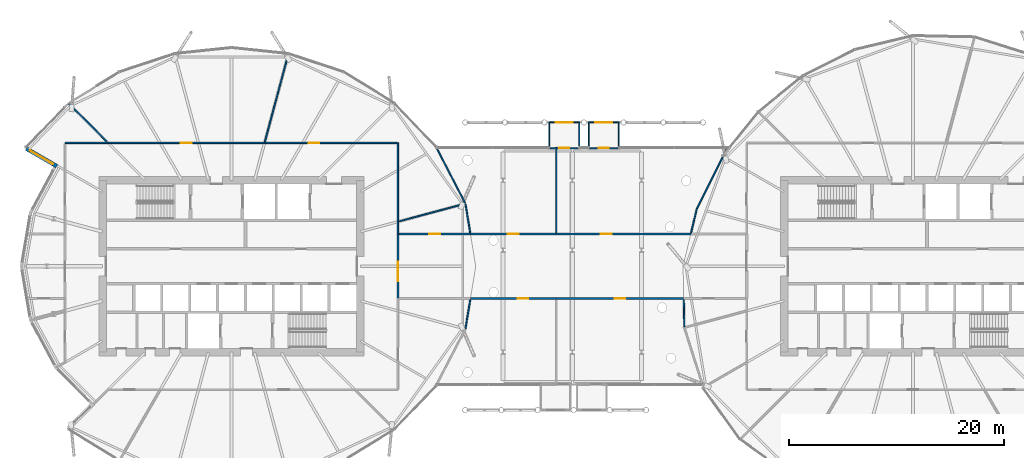
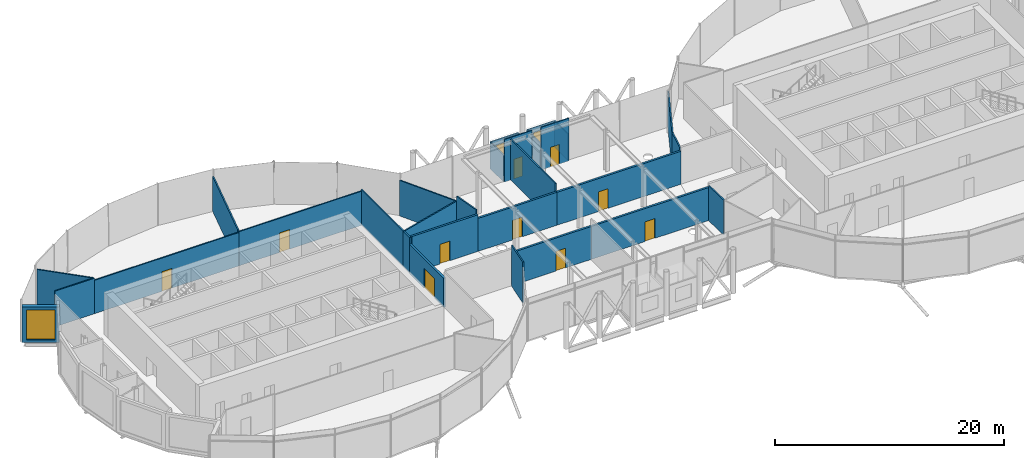
# One storey, part 24 of 36: 30 walls, 10 doors, 3 windows, 13 openings.
"""IFC4 building model written with IfcOpenShell, lengths in metres."""

from ifc_helpers import new_model, si_unit, direction, frame, frame_2d, origin, place, context, subcontext, project, spatial, rectangle, extrude, material, layer, layer_set, type_object, element, fill, save


model = new_model("IFC4")

# Units and contexts
model_context = context("Model", 3, precision=1e-05, world=origin(), true_north=direction((0.0, 1.0)))
body_context = subcontext(model_context, "Body", "Model", "MODEL_VIEW")
ifc_project = project(units=[si_unit("LENGTHUNIT", "METRE"), si_unit("AREAUNIT", "SQUARE_METRE"), si_unit("VOLUMEUNIT", "CUBIC_METRE"), si_unit("PLANEANGLEUNIT", "RADIAN"), si_unit("MASSUNIT", "GRAM", prefix="KILO")], contexts=[model_context])

# Site, building, storey
site_placement = place(None, origin())
site = spatial("IfcSite", under=ifc_project, at=site_placement, CompositionType="ELEMENT")
building_placement = place(site_placement, origin())
building = spatial("IfcBuilding", under=site, at=building_placement, Name="Rimbun Link Towers", CompositionType="ELEMENT")
storey_placement = place(building_placement, frame((0.0, 0.0, 154.39990234375)))
storey = spatial("IfcBuildingStorey", under=building, at=storey_placement, Name="L37", CompositionType="ELEMENT", Elevation=154.39990234375)

# Wall
ifc_material_1 = material(Name="Terracotta-faced insulated sandwich panel", Category="masonry")
ifc_layer_1 = layer(ifc_material_1, 0.10009765625)
ifc_layer_set_1 = layer_set([ifc_layer_1], Name="CAPSULE shell panel 100")
wall_type_1 = type_object("IfcWallType", Name="CAPSULE shell panel 100", PredefinedType="STANDARD", material=ifc_layer_set_1)
wall_1_placement = place(storey_placement, frame((0.646728515625, 11.0, -0.059814453125), z_axis=(0.0, 0.0, 1.0), x_axis=(0.0, 1.0, 0.0)))
element("IfcWall", 1, at=wall_1_placement, inside=storey, type_object=wall_type_1, Name="CAPSULE F37.01 shell panel 1", PredefinedType="STANDARD", context=body_context, shape_type="SweptSolid", body=[
    extrude(rectangle(XDim=2.39990234375, YDim=0.10009765625, at=frame_2d((1.199951171875, 0.0))), origin(), (0.0, 0.0, 1.0), 2.849853515625),
])

# Wall, opening, window
wall_2_placement = place(storey_placement, frame((0.646728515625, 13.39990234375, -0.059814453125), z_axis=(0.0, 0.0, 1.0), x_axis=(-1.0, 0.0, 0.0)))
wall_2 = element("IfcWall", 2, at=wall_2_placement, inside=storey, type_object=wall_type_1, Name="CAPSULE F37.01 shell panel 2", PredefinedType="STANDARD", context=body_context, shape_type="SweptSolid", body=[
    extrude(rectangle(XDim=2.800048828125, YDim=0.10009765625, at=frame_2d((1.39990234375, 0.0))), origin(), (0.0, 0.0, 1.0), 2.849853515625),
])
opening_1_placement = place(wall_2_placement, frame((0.60009765625, 0.0, 0.89990234375)))
opening_1 = element("IfcOpeningElement", 3, at=opening_1_placement, cuts=wall_2, Name="Opening CN37.01", PredefinedType="OPENING", context=body_context, shape_type="SweptSolid", body=[
    extrude(rectangle(XDim=1.60009765625, YDim=1.39990234375, at=frame_2d((0.800048828125, 0.699951171875))), frame((0.0, 0.06005859375, 0.0), z_axis=(0.0, -1.0, 0.0), x_axis=(1.0, 0.0, 0.0)), (0.0, 0.0, 1.0), 0.1201171875),
])
ifc_material_2 = material(Name="Aluminium framed window, low-iron glass", Category="aluminium")
window_type_1 = type_object("IfcWindowType", Name="CAPSULE window 1600X1400", PartitioningType="SINGLE_PANEL", PredefinedType="WINDOW", material=ifc_material_2)
window_1_placement = place(opening_1_placement, origin())
window_1 = element("IfcWindow", 4, at=window_1_placement, inside=storey, type_object=window_type_1, Name="CAPSULE F37.01 window", OverallHeight=1.39990234375, OverallWidth=1.60009765625, PartitioningType="SINGLE_PANEL", PredefinedType="WINDOW", context=body_context, shape_type="SweptSolid", body=[
    extrude(rectangle(XDim=1.60009765625, YDim=1.39990234375, at=frame_2d((0.800048828125, 0.699951171875))), frame((0.0, 0.030029296875, 0.0), z_axis=(0.0, -1.0, 0.0), x_axis=(1.0, 0.0, 0.0)), (0.0, 0.0, 1.0), 0.06005859375),
])
fill(opening_1, window_1)

# Wall
wall_3_placement = place(storey_placement, frame((-2.1533203125, 13.39990234375, -0.059814453125), z_axis=(0.0, 0.0, 1.0), x_axis=(0.0, -1.0, 0.0)))
element("IfcWall", 5, at=wall_3_placement, inside=storey, type_object=wall_type_1, Name="CAPSULE F37.01 shell panel 3", PredefinedType="STANDARD", context=body_context, shape_type="SweptSolid", body=[
    extrude(rectangle(XDim=2.39990234375, YDim=0.10009765625, at=frame_2d((1.199951171875, 0.0))), origin(), (0.0, 0.0, 1.0), 2.849853515625),
])

# Wall, opening, door
wall_4_placement = place(storey_placement, frame((-2.1533203125, 11.0, -0.059814453125), z_axis=(0.0, 0.0, 1.0), x_axis=(1.0, 0.0, 0.0)))
wall_4 = element("IfcWall", 6, at=wall_4_placement, inside=storey, type_object=wall_type_1, Name="CAPSULE F37.01 shell panel 4", PredefinedType="STANDARD", context=body_context, shape_type="SweptSolid", body=[
    extrude(rectangle(XDim=2.800048828125, YDim=0.10009765625, at=frame_2d((1.39990234375, 0.0))), origin(), (0.0, 0.0, 1.0), 4.559814453125),
])
opening_2_placement = place(wall_4_placement, frame((0.949951171875, 0.0, 0.0)))
opening_2 = element("IfcOpeningElement", 7, at=opening_2_placement, cuts=wall_4, Name="Opening CD37.01", PredefinedType="OPENING", context=body_context, shape_type="SweptSolid", body=[
    extrude(rectangle(XDim=0.89990234375, YDim=2.10009765625, at=frame_2d((0.449951171875, 1.050048828125))), frame((0.0, 0.06005859375, 0.0), z_axis=(0.0, -1.0, 0.0), x_axis=(1.0, 0.0, 0.0)), (0.0, 0.0, 1.0), 0.1201171875),
])
ifc_material_3 = material(Name="Aluminium framed insulated door leaf", Category="aluminium")
door_type_1 = type_object("IfcDoorType", Name="CAPSULE door single leaf 900X2100", OperationType="SINGLE_SWING_LEFT", PredefinedType="DOOR", material=ifc_material_3)
door_1_placement = place(opening_2_placement, origin())
door_1 = element("IfcDoor", 8, at=door_1_placement, inside=storey, type_object=door_type_1, Name="CAPSULE F37.01 door", OperationType="SINGLE_SWING_RIGHT", OverallHeight=2.10009765625, OverallWidth=0.89990234375, PredefinedType="DOOR", context=body_context, shape_type="SweptSolid", body=[
    extrude(rectangle(XDim=0.89990234375, YDim=2.10009765625, at=frame_2d((0.449951171875, 1.050048828125))), frame((0.0, 0.02490234375, 0.0), z_axis=(0.0, -1.0, 0.0), x_axis=(1.0, 0.0, 0.0)), (0.0, 0.0, 1.0), 0.050048828125),
])
fill(opening_2, door_1)

# Wall
wall_5_placement = place(storey_placement, frame((4.336669921875, 11.0, -0.059814453125), z_axis=(0.0, 0.0, 1.0), x_axis=(0.0, 1.0, 0.0)))
element("IfcWall", 9, at=wall_5_placement, inside=storey, type_object=wall_type_1, Name="CAPSULE F37.02 shell panel 1", PredefinedType="STANDARD", context=body_context, shape_type="SweptSolid", body=[
    extrude(rectangle(XDim=2.39990234375, YDim=0.10009765625, at=frame_2d((1.199951171875, 0.0))), origin(), (0.0, 0.0, 1.0), 2.849853515625),
])

# Wall, opening, window
wall_6_placement = place(storey_placement, frame((4.336669921875, 13.39990234375, -0.059814453125), z_axis=(0.0, 0.0, 1.0), x_axis=(-1.0, 0.0, 0.0)))
wall_6 = element("IfcWall", 10, at=wall_6_placement, inside=storey, type_object=wall_type_1, Name="CAPSULE F37.02 shell panel 2", PredefinedType="STANDARD", context=body_context, shape_type="SweptSolid", body=[
    extrude(rectangle(XDim=2.7998046875, YDim=0.10009765625, at=frame_2d((1.39990234375, 0.0))), origin(), (0.0, 0.0, 1.0), 2.849853515625),
])
opening_3_placement = place(wall_6_placement, frame((0.60009765625, 0.0, 0.89990234375)))
opening_3 = element("IfcOpeningElement", 11, at=opening_3_placement, cuts=wall_6, Name="Opening CN37.02", PredefinedType="OPENING", context=body_context, shape_type="SweptSolid", body=[
    extrude(rectangle(XDim=1.60009765625, YDim=1.39990234375, at=frame_2d((0.800048828125, 0.699951171875))), frame((0.0, 0.06005859375, 0.0), z_axis=(0.0, -1.0, 0.0), x_axis=(1.0, 0.0, 0.0)), (0.0, 0.0, 1.0), 0.1201171875),
])
window_2_placement = place(opening_3_placement, origin())
window_2 = element("IfcWindow", 12, at=window_2_placement, inside=storey, type_object=window_type_1, Name="CAPSULE F37.02 window", OverallHeight=1.39990234375, OverallWidth=1.60009765625, PartitioningType="SINGLE_PANEL", PredefinedType="WINDOW", context=body_context, shape_type="SweptSolid", body=[
    extrude(rectangle(XDim=1.60009765625, YDim=1.39990234375, at=frame_2d((0.800048828125, 0.699951171875))), frame((0.0, 0.030029296875, 0.0), z_axis=(0.0, -1.0, 0.0), x_axis=(1.0, 0.0, 0.0)), (0.0, 0.0, 1.0), 0.06005859375),
])
fill(opening_3, window_2)

# Wall
wall_7_placement = place(storey_placement, frame((1.536865234375, 13.39990234375, -0.059814453125), z_axis=(0.0, 0.0, 1.0), x_axis=(0.0, -1.0, 0.0)))
element("IfcWall", 13, at=wall_7_placement, inside=storey, type_object=wall_type_1, Name="CAPSULE F37.02 shell panel 3", PredefinedType="STANDARD", context=body_context, shape_type="SweptSolid", body=[
    extrude(rectangle(XDim=2.39990234375, YDim=0.10009765625, at=frame_2d((1.199951171875, 0.0))), origin(), (0.0, 0.0, 1.0), 2.849853515625),
])

# Wall, opening, door
wall_8_placement = place(storey_placement, frame((1.536865234375, 11.0, -0.059814453125), z_axis=(0.0, 0.0, 1.0), x_axis=(1.0, 0.0, 0.0)))
wall_8 = element("IfcWall", 14, at=wall_8_placement, inside=storey, type_object=wall_type_1, Name="CAPSULE F37.02 shell panel 4", PredefinedType="STANDARD", context=body_context, shape_type="SweptSolid", body=[
    extrude(rectangle(XDim=2.7998046875, YDim=0.10009765625, at=frame_2d((1.39990234375, 0.0))), origin(), (0.0, 0.0, 1.0), 4.559814453125),
])
opening_4_placement = place(wall_8_placement, frame((0.949951171875, 0.0, 0.0)))
opening_4 = element("IfcOpeningElement", 15, at=opening_4_placement, cuts=wall_8, Name="Opening CD37.02", PredefinedType="OPENING", context=body_context, shape_type="SweptSolid", body=[
    extrude(rectangle(XDim=0.89990234375, YDim=2.10009765625, at=frame_2d((0.449951171875, 1.050048828125))), frame((0.0, 0.06005859375, 0.0), z_axis=(0.0, -1.0, 0.0), x_axis=(1.0, 0.0, 0.0)), (0.0, 0.0, 1.0), 0.1201171875),
])
door_2_placement = place(opening_4_placement, origin())
door_2 = element("IfcDoor", 16, at=door_2_placement, inside=storey, type_object=door_type_1, Name="CAPSULE F37.02 door", OperationType="SINGLE_SWING_LEFT", OverallHeight=2.10009765625, OverallWidth=0.89990234375, PredefinedType="DOOR", context=body_context, shape_type="SweptSolid", body=[
    extrude(rectangle(XDim=0.89990234375, YDim=2.10009765625, at=frame_2d((0.449951171875, 1.050048828125))), frame((0.0, 0.02490234375, 0.0), z_axis=(0.0, -1.0, 0.0), x_axis=(1.0, 0.0, 0.0)), (0.0, 0.0, 1.0), 0.050048828125),
])
fill(opening_4, door_2)

# Wall, opening, window
ifc_material_4 = material(Name="Dark enamelled glass spandrel on insulated aluminium backpan", Category="aluminium")
ifc_layer_2 = layer(ifc_material_4, 0.3701171875)
ifc_layer_set_2 = layer_set([ifc_layer_2], Name="CS dark enamelled spandrel wall 370")
wall_type_2 = type_object("IfcWallType", Name="CS dark enamelled spandrel wall 370", PredefinedType="STANDARD", material=ifc_layer_set_2)
wall_9_placement = place(storey_placement, frame((-48.031494140625, 9.324951171875, 0.0), z_axis=(0.0, 0.0, 1.0), x_axis=(-0.866008333849, 0.50002956483, 0.0)))
wall_9 = element("IfcWall", 17, at=wall_9_placement, inside=storey, type_object=wall_type_2, Name="Crease spandrel wall", PredefinedType="STANDARD", context=body_context, shape_type="SweptSolid", body=[
    extrude(rectangle(XDim=3.280029296875, YDim=0.3701171875, at=frame_2d((1.64013671875, 0.0))), origin(), (0.0, 0.0, 1.0), 3.80712890625),
])
opening_5_placement = place(wall_9_placement, frame((0.389892578125, 0.0, 0.300048828125)))
opening_5 = element("IfcOpeningElement", 18, at=opening_5_placement, cuts=wall_9, Name="Opening WR25H320", PredefinedType="OPENING", context=body_context, shape_type="SweptSolid", body=[
    extrude(rectangle(XDim=2.5, YDim=3.199951171875, at=frame_2d((1.25, 1.60009765625))), frame((0.0, 0.195068359375, 0.0), z_axis=(0.0, -1.0, 0.0), x_axis=(1.0, 0.0, 0.0)), (0.0, 0.0, 1.0), 0.39013671875),
])
ifc_material_5 = material(Name="Aluminium framed fixed window, dark tinted low-e glass", Category="aluminium")
window_type_2 = type_object("IfcWindowType", Name="WR ribbon window 2500X3200", PartitioningType="SINGLE_PANEL", PredefinedType="WINDOW", material=ifc_material_5)
window_3_placement = place(opening_5_placement, origin())
window_3 = element("IfcWindow", 19, at=window_3_placement, inside=storey, type_object=window_type_2, Name="Crease ribbon window", OverallHeight=3.199951171875, OverallWidth=2.5, PartitioningType="SINGLE_PANEL", PredefinedType="WINDOW", context=body_context, shape_type="SweptSolid", body=[
    extrude(rectangle(XDim=2.5, YDim=3.199951171875, at=frame_2d((1.25, 1.60009765625))), frame((0.0, 0.030029296875, 0.0), z_axis=(0.0, -1.0, 0.0), x_axis=(1.0, 0.0, 0.0)), (0.0, 0.0, 1.0), 0.06005859375),
])
fill(opening_5, window_3)

# Wall, opening, door
ifc_material_6 = material(Name="Concrete blockwork", Category="masonry")
ifc_layer_3 = layer(ifc_material_6, 0.199951171875)
ifc_layer_set_3 = layer_set([ifc_layer_3], Name="Fire partition 200 blockwork")
wall_type_3 = type_object("IfcWallType", Name="Fire partition 200 blockwork", PredefinedType="PARTITIONING", material=ifc_layer_set_3)
wall_10_placement = place(storey_placement, frame((-1.5, 3.0, 0.0), z_axis=(0.0, 0.0, 1.0), x_axis=(-1.0, 0.0, 0.0)))
wall_10 = element("IfcWall", 20, at=wall_10_placement, inside=storey, type_object=wall_type_3, Name="TW/PW/L37/001", PredefinedType="PARTITIONING", context=body_context, shape_type="SweptSolid", body=[
    extrude(rectangle(XDim=7.98974609375, YDim=0.199951171875, at=frame_2d((3.994873046875, 0.0))), origin(), (0.0, 0.0, 1.0), 3.52001953125),
])
opening_6_placement = place(wall_10_placement, frame((3.4951171875, 0.0, 0.0)))
opening_6 = element("IfcOpeningElement", 21, at=opening_6_placement, cuts=wall_10, Name="Opening TW D37.19", PredefinedType="OPENING", context=body_context, shape_type="SweptSolid", body=[
    extrude(rectangle(XDim=1.0, YDim=2.10009765625, at=frame_2d((0.5, 1.050048828125))), frame((0.0, 0.10986328125, 0.0), z_axis=(0.0, -1.0, 0.0), x_axis=(1.0, 0.0, 0.0)), (0.0, 0.0, 1.0), 0.219970703125),
])
ifc_material_7 = material(Name="Steel fire door set", Category="steel")
door_type_2 = type_object("IfcDoorType", Name="Fire door single leaf 1000 x 2100", OperationType="NOTDEFINED", PredefinedType="DOOR", material=ifc_material_7)
door_3_placement = place(opening_6_placement, origin())
door_3 = element("IfcDoor", 22, at=door_3_placement, inside=storey, type_object=door_type_2, Name="TW/DR/L37/019", OperationType="SINGLE_SWING_RIGHT", OverallHeight=2.10009765625, OverallWidth=1.0, PredefinedType="DOOR", context=body_context, shape_type="SweptSolid", body=[
    extrude(rectangle(XDim=1.0, YDim=2.10009765625, at=frame_2d((0.5, 1.050048828125))), frame((0.0, 0.02490234375, 0.0), z_axis=(0.0, -1.0, 0.0), x_axis=(1.0, 0.0, 0.0)), (0.0, 0.0, 1.0), 0.050048828125),
])
fill(opening_6, door_3)

wall_11_placement = place(storey_placement, frame((11.0361328125, 3.0, 0.0), z_axis=(0.0, 0.0, 1.0), x_axis=(-1.0, 0.0, 0.0)))
wall_11 = element("IfcWall", 23, at=wall_11_placement, inside=storey, type_object=wall_type_3, Name="TW/PW/L37/002", PredefinedType="PARTITIONING", context=body_context, shape_type="SweptSolid", body=[
    extrude(rectangle(XDim=12.5361328125, YDim=0.199951171875, at=frame_2d((6.26806640625, 0.0))), origin(), (0.0, 0.0, 1.0), 3.52001953125),
])
opening_7_placement = place(wall_11_placement, frame((7.364013671875, 0.0, 0.0)))
opening_7 = element("IfcOpeningElement", 24, at=opening_7_placement, cuts=wall_11, Name="Opening TW D37.20", PredefinedType="OPENING", context=body_context, shape_type="SweptSolid", body=[
    extrude(rectangle(XDim=1.0, YDim=2.10009765625, at=frame_2d((0.5, 1.050048828125))), frame((0.0, 0.10986328125, 0.0), z_axis=(0.0, -1.0, 0.0), x_axis=(1.0, 0.0, 0.0)), (0.0, 0.0, 1.0), 0.219970703125),
])
door_4_placement = place(opening_7_placement, origin())
door_4 = element("IfcDoor", 25, at=door_4_placement, inside=storey, type_object=door_type_2, Name="TW/DR/L37/020", OperationType="SINGLE_SWING_LEFT", OverallHeight=2.10009765625, OverallWidth=1.0, PredefinedType="DOOR", context=body_context, shape_type="SweptSolid", body=[
    extrude(rectangle(XDim=1.0, YDim=2.10009765625, at=frame_2d((0.5, 1.050048828125))), frame((0.0, 0.02490234375, 0.0), z_axis=(0.0, -1.0, 0.0), x_axis=(1.0, 0.0, 0.0)), (0.0, 0.0, 1.0), 0.050048828125),
])
fill(opening_7, door_4)

wall_12_placement = place(storey_placement, frame((-9.48974609375, -3.0, 0.0), z_axis=(0.0, 0.0, 1.0), x_axis=(1.0, 0.0, 0.0)))
wall_12 = element("IfcWall", 26, at=wall_12_placement, inside=storey, type_object=wall_type_3, Name="TW/PW/L37/003", PredefinedType="PARTITIONING", context=body_context, shape_type="SweptSolid", body=[
    extrude(rectangle(XDim=7.98974609375, YDim=0.199951171875, at=frame_2d((3.994873046875, 0.0))), origin(), (0.0, 0.0, 1.0), 3.52001953125),
])
opening_8_placement = place(wall_12_placement, frame((4.407958984375, 0.0, 0.0)))
opening_8 = element("IfcOpeningElement", 27, at=opening_8_placement, cuts=wall_12, Name="Opening TW D37.21", PredefinedType="OPENING", context=body_context, shape_type="SweptSolid", body=[
    extrude(rectangle(XDim=1.0, YDim=2.10009765625, at=frame_2d((0.5, 1.050048828125))), frame((0.0, 0.10986328125, 0.0), z_axis=(0.0, -1.0, 0.0), x_axis=(1.0, 0.0, 0.0)), (0.0, 0.0, 1.0), 0.219970703125),
])
door_5_placement = place(opening_8_placement, origin())
door_5 = element("IfcDoor", 28, at=door_5_placement, inside=storey, type_object=door_type_2, Name="TW/DR/L37/021", OperationType="SINGLE_SWING_RIGHT", OverallHeight=2.10009765625, OverallWidth=1.0, PredefinedType="DOOR", context=body_context, shape_type="SweptSolid", body=[
    extrude(rectangle(XDim=1.0, YDim=2.10009765625, at=frame_2d((0.5, 1.050048828125))), frame((0.0, 0.02490234375, 0.0), z_axis=(0.0, -1.0, 0.0), x_axis=(1.0, 0.0, 0.0)), (0.0, 0.0, 1.0), 0.050048828125),
])
fill(opening_8, door_5)

wall_13_placement = place(storey_placement, frame((-1.5, -3.0, 0.0), z_axis=(0.0, 0.0, 1.0), x_axis=(1.0, 0.0, 0.0)))
wall_13 = element("IfcWall", 29, at=wall_13_placement, inside=storey, type_object=wall_type_3, Name="TW/PW/L37/004", PredefinedType="PARTITIONING", context=body_context, shape_type="SweptSolid", body=[
    extrude(rectangle(XDim=11.882080078125, YDim=0.199951171875, at=frame_2d((5.94091796875, 0.0))), origin(), (0.0, 0.0, 1.0), 3.52001953125),
])
opening_9_placement = place(wall_13_placement, frame((5.44091796875, 0.0, 0.0)))
opening_9 = element("IfcOpeningElement", 30, at=opening_9_placement, cuts=wall_13, Name="Opening TW D37.22", PredefinedType="OPENING", context=body_context, shape_type="SweptSolid", body=[
    extrude(rectangle(XDim=1.0, YDim=2.10009765625, at=frame_2d((0.5, 1.050048828125))), frame((0.0, 0.10986328125, 0.0), z_axis=(0.0, -1.0, 0.0), x_axis=(1.0, 0.0, 0.0)), (0.0, 0.0, 1.0), 0.219970703125),
])
door_6_placement = place(opening_9_placement, origin())
door_6 = element("IfcDoor", 31, at=door_6_placement, inside=storey, type_object=door_type_2, Name="TW/DR/L37/022", OperationType="SINGLE_SWING_LEFT", OverallHeight=2.10009765625, OverallWidth=1.0, PredefinedType="DOOR", context=body_context, shape_type="SweptSolid", body=[
    extrude(rectangle(XDim=1.0, YDim=2.10009765625, at=frame_2d((0.5, 1.050048828125))), frame((0.0, 0.02490234375, 0.0), z_axis=(0.0, -1.0, 0.0), x_axis=(1.0, 0.0, 0.0)), (0.0, 0.0, 1.0), 0.050048828125),
])
fill(opening_9, door_6)

wall_14_placement = place(storey_placement, frame((-16.25, -3.0, 0.0), z_axis=(0.0, 0.0, 1.0), x_axis=(0.0, 1.0, 0.0)))
wall_14 = element("IfcWall", 32, at=wall_14_placement, inside=storey, type_object=wall_type_3, Name="TW/PW/L37/005", PredefinedType="PARTITIONING", context=body_context, shape_type="SweptSolid", body=[
    extrude(rectangle(XDim=6.0, YDim=0.199951171875, at=frame_2d((3.0, 0.0))), origin(), (0.0, 0.0, 1.0), 3.130126953125),
])
opening_10_placement = place(wall_14_placement, frame((1.60498046875, 0.0, 0.0)))
opening_10 = element("IfcOpeningElement", 33, at=opening_10_placement, cuts=wall_14, Name="Opening TW D37.23", PredefinedType="OPENING", context=body_context, shape_type="SweptSolid", body=[
    extrude(rectangle(XDim=1.800048828125, YDim=2.10009765625, at=frame_2d((0.89990234375, 1.050048828125))), frame((0.0, 0.10986328125, 0.0), z_axis=(0.0, -1.0, 0.0), x_axis=(1.0, 0.0, 0.0)), (0.0, 0.0, 1.0), 0.219970703125),
])
ifc_material_8 = material(Name="Steel fire door set", Category="steel")
door_type_3 = type_object("IfcDoorType", Name="Fire door double leaf 1800 x 2100", OperationType="NOTDEFINED", PredefinedType="DOOR", material=ifc_material_8)
door_7_placement = place(opening_10_placement, origin())
door_7 = element("IfcDoor", 34, at=door_7_placement, inside=storey, type_object=door_type_3, Name="TW/DR/L37/023", OperationType="DOUBLE_DOOR_SINGLE_SWING", OverallHeight=2.10009765625, OverallWidth=1.800048828125, PredefinedType="DOOR", context=body_context, shape_type="SweptSolid", body=[
    extrude(rectangle(XDim=1.800048828125, YDim=2.10009765625, at=frame_2d((0.89990234375, 1.050048828125))), frame((0.0, 0.02490234375, 0.0), z_axis=(0.0, -1.0, 0.0), x_axis=(1.0, 0.0, 0.0)), (0.0, 0.0, 1.0), 0.050048828125),
])
fill(opening_10, door_7)

wall_15_placement = place(storey_placement, frame((-9.48974609375, 3.0, 0.0), z_axis=(0.0, 0.0, 1.0), x_axis=(-1.0, 0.0, 0.0)))
wall_15 = element("IfcWall", 35, at=wall_15_placement, inside=storey, type_object=wall_type_3, Name="TW/PW/L37/021", PredefinedType="PARTITIONING", context=body_context, shape_type="SweptSolid", body=[
    extrude(rectangle(XDim=6.66015625, YDim=0.199951171875, at=frame_2d((3.330078125, 0.0))), origin(), (0.0, 0.0, 1.0), 3.924072265625),
])
opening_11_placement = place(wall_15_placement, frame((2.830078125, 0.0, 0.0)))
opening_11 = element("IfcOpeningElement", 36, at=opening_11_placement, cuts=wall_15, Name="Opening TW D37.04", PredefinedType="OPENING", context=body_context, shape_type="SweptSolid", body=[
    extrude(rectangle(XDim=1.0, YDim=2.10009765625, at=frame_2d((0.5, 1.050048828125))), frame((0.0, 0.10986328125, 0.0), z_axis=(0.0, -1.0, 0.0), x_axis=(1.0, 0.0, 0.0)), (0.0, 0.0, 1.0), 0.219970703125),
])
door_8_placement = place(opening_11_placement, origin())
door_8 = element("IfcDoor", 37, at=door_8_placement, inside=storey, type_object=door_type_2, Name="TW/DR/L37/004", OperationType="SINGLE_SWING_LEFT", OverallHeight=2.10009765625, OverallWidth=1.0, PredefinedType="DOOR", context=body_context, shape_type="SweptSolid", body=[
    extrude(rectangle(XDim=1.0, YDim=2.10009765625, at=frame_2d((0.5, 1.050048828125))), frame((0.0, 0.02490234375, 0.0), z_axis=(0.0, -1.0, 0.0), x_axis=(1.0, 0.0, 0.0)), (0.0, 0.0, 1.0), 0.050048828125),
])
fill(opening_11, door_8)

# Walls
ifc_material_9 = material(Name="Gypsum board on steel studs", Category="steel")
ifc_layer_4 = layer(ifc_material_9, 0.125)
ifc_layer_set_4 = layer_set([ifc_layer_4], Name="Partition 125 board on studs")
wall_type_4 = type_object("IfcWallType", Name="Partition 125 board on studs", PredefinedType="PARTITIONING", material=ifc_layer_set_4)
wall_16_placement = place(storey_placement, frame((-16.25, 3.0, 0.0), z_axis=(0.0, 0.0, 1.0), x_axis=(0.0, 1.0, 0.0)))
element("IfcWall", 38, at=wall_16_placement, inside=storey, type_object=wall_type_4, Name="TW/PW/L37/012", PredefinedType="PARTITIONING", context=body_context, shape_type="SweptSolid", body=[
    extrude(rectangle(XDim=1.1533203125, YDim=0.125, at=frame_2d((0.57666015625, 0.0))), origin(), (0.0, 0.0, 1.0), 3.797119140625),
])
wall_17_placement = place(storey_placement, frame((-16.25, 4.1533203125, 0.0), z_axis=(0.0, 0.0, 1.0), x_axis=(0.0, 1.0, 0.0)))
element("IfcWall", 39, at=wall_17_placement, inside=storey, type_object=wall_type_4, Name="TW/PW/L37/015", PredefinedType="PARTITIONING", context=body_context, shape_type="SweptSolid", body=[
    extrude(rectangle(XDim=7.3466796875, YDim=0.125, at=frame_2d((3.67333984375, 0.0))), origin(), (0.0, 0.0, 1.0), 3.797119140625),
])

# Wall, opening, door
wall_18_placement = place(storey_placement, frame((-16.3125, 11.5, 0.0), z_axis=(0.0, 0.0, 1.0), x_axis=(-1.0, 0.0, 0.0)))
wall_18 = element("IfcWall", 40, at=wall_18_placement, inside=storey, type_object=wall_type_4, Name="TW/PW/L37/016", PredefinedType="PARTITIONING", context=body_context, shape_type="SweptSolid", body=[
    extrude(rectangle(XDim=12.356201171875, YDim=0.125, at=frame_2d((6.17822265625, 0.0))), origin(), (0.0, 0.0, 1.0), 3.647216796875),
])
opening_12_placement = place(wall_18_placement, frame((7.24609375, 0.0, 0.0)))
opening_12 = element("IfcOpeningElement", 41, at=opening_12_placement, cuts=wall_18, Name="Opening TW D37.06", PredefinedType="OPENING", context=body_context, shape_type="SweptSolid", body=[
    extrude(rectangle(XDim=1.0, YDim=2.10009765625, at=frame_2d((0.5, 1.050048828125))), frame((0.0, 0.072509765625, 0.0), z_axis=(0.0, -1.0, 0.0), x_axis=(1.0, 0.0, 0.0)), (0.0, 0.0, 1.0), 0.14501953125),
])
ifc_material_10 = material(Name="Timber door set", Category="wood")
door_type_4 = type_object("IfcDoorType", Name="Door single leaf 1000 x 2100", OperationType="NOTDEFINED", PredefinedType="DOOR", material=ifc_material_10)
door_9_placement = place(opening_12_placement, origin())
door_9 = element("IfcDoor", 42, at=door_9_placement, inside=storey, type_object=door_type_4, Name="TW/DR/L37/006", OperationType="SINGLE_SWING_LEFT", OverallHeight=2.10009765625, OverallWidth=1.0, PredefinedType="DOOR", context=body_context, shape_type="SweptSolid", body=[
    extrude(rectangle(XDim=1.0, YDim=2.10009765625, at=frame_2d((0.5, 1.050048828125))), frame((0.0, 0.02490234375, 0.0), z_axis=(0.0, -1.0, 0.0), x_axis=(1.0, 0.0, 0.0)), (0.0, 0.0, 1.0), 0.050048828125),
])
fill(opening_12, door_9)

wall_19_placement = place(storey_placement, frame((-28.668701171875, 11.5, 0.0), z_axis=(0.0, 0.0, 1.0), x_axis=(-1.0, 0.0, 0.0)))
wall_19 = element("IfcWall", 43, at=wall_19_placement, inside=storey, type_object=wall_type_4, Name="TW/PW/L37/017", PredefinedType="PARTITIONING", context=body_context, shape_type="SweptSolid", body=[
    extrude(rectangle(XDim=14.581298828125, YDim=0.125, at=frame_2d((7.29052734375, 0.0))), origin(), (0.0, 0.0, 1.0), 3.568115234375),
])
opening_13_placement = place(wall_19_placement, frame((6.791015625, 0.0, 0.0)))
opening_13 = element("IfcOpeningElement", 44, at=opening_13_placement, cuts=wall_19, Name="Opening TW D37.07", PredefinedType="OPENING", context=body_context, shape_type="SweptSolid", body=[
    extrude(rectangle(XDim=1.0, YDim=2.10009765625, at=frame_2d((0.5, 1.050048828125))), frame((0.0, 0.072509765625, 0.0), z_axis=(0.0, -1.0, 0.0), x_axis=(1.0, 0.0, 0.0)), (0.0, 0.0, 1.0), 0.14501953125),
])
door_10_placement = place(opening_13_placement, origin())
door_10 = element("IfcDoor", 45, at=door_10_placement, inside=storey, type_object=door_type_4, Name="TW/DR/L37/007", OperationType="SINGLE_SWING_RIGHT", OverallHeight=2.10009765625, OverallWidth=1.0, PredefinedType="DOOR", context=body_context, shape_type="SweptSolid", body=[
    extrude(rectangle(XDim=1.0, YDim=2.10009765625, at=frame_2d((0.5, 1.050048828125))), frame((0.0, 0.02490234375, 0.0), z_axis=(0.0, -1.0, 0.0), x_axis=(1.0, 0.0, 0.0)), (0.0, 0.0, 1.0), 0.050048828125),
])
fill(opening_13, door_10)

# Walls
wall_20_placement = place(storey_placement, frame((-43.25, 11.5, 0.0), z_axis=(0.0, 0.0, 1.0), x_axis=(-1.0, 0.0, 0.0)))
element("IfcWall", 46, at=wall_20_placement, inside=storey, type_object=wall_type_4, Name="TW/PW/L37/019", PredefinedType="PARTITIONING", context=body_context, shape_type="SweptSolid", body=[
    extrude(rectangle(XDim=4.0, YDim=0.125, at=frame_2d((2.0, 0.0))), origin(), (0.0, 0.0, 1.0), 3.797119140625),
])
wall_21_placement = place(storey_placement, frame((-9.956787109375, 5.839599609375, 0.0), z_axis=(0.0, 0.0, 1.0), x_axis=(-0.96592247454, -0.258831553677, 0.0)))
element("IfcWall", 47, at=wall_21_placement, inside=storey, type_object=wall_type_4, Name="TW/PW/L37/028", PredefinedType="PARTITIONING", context=body_context, shape_type="SweptSolid", body=[
    extrude(rectangle(XDim=6.433837890625, YDim=0.125, at=frame_2d((3.216796875, 0.0))), origin(), (0.0, 0.0, 1.0), 3.797119140625),
])
wall_22_placement = place(storey_placement, frame((-9.508056640625, 3.110107421875, 0.0), z_axis=(0.0, 0.0, 1.0), x_axis=(-0.162211429782, 0.986756024582, 0.0)))
element("IfcWall", 48, at=wall_22_placement, inside=storey, type_object=wall_type_4, Name="TW/PW/L37/029", PredefinedType="PARTITIONING", context=body_context, shape_type="SweptSolid", body=[
    extrude(rectangle(XDim=2.697021484375, YDim=0.125, at=frame_2d((1.3486328125, 0.0))), origin(), (0.0, 0.0, 1.0), 4.35009765625),
])
wall_23_placement = place(storey_placement, frame((-9.95361328125, -5.81982421875, 0.0), z_axis=(0.0, 0.0, 1.0), x_axis=(0.162250475655, 0.986749605092, 0.0)))
element("IfcWall", 49, at=wall_23_placement, inside=storey, type_object=wall_type_4, Name="TW/PW/L37/031", PredefinedType="PARTITIONING", context=body_context, shape_type="SweptSolid", body=[
    extrude(rectangle(XDim=2.74609375, YDim=0.125, at=frame_2d((1.373046875, 0.0))), origin(), (0.0, 0.0, 1.0), 4.35009765625),
])
wall_24_placement = place(storey_placement, frame((-26.435302734375, 19.835205078125, 0.0), z_axis=(0.0, 0.0, 1.0), x_axis=(-0.258798426051, -0.965931350911, 0.0)))
element("IfcWall", 50, at=wall_24_placement, inside=storey, type_object=wall_type_4, Name="TW/PW/L37/032", PredefinedType="PARTITIONING", context=body_context, shape_type="SweptSolid", body=[
    extrude(rectangle(XDim=8.5478515625, YDim=0.125, at=frame_2d((4.27392578125, 0.0))), origin(), (0.0, 0.0, 1.0), 3.72705078125),
])
wall_25_placement = place(storey_placement, frame((-9.991455078125, 5.906494140625, 0.0), z_axis=(0.0, 0.0, 1.0), x_axis=(-0.459564542477, 0.888144375256, 0.0)))
element("IfcWall", 51, at=wall_25_placement, inside=storey, type_object=wall_type_4, Name="TW/PW/L37/033", PredefinedType="PARTITIONING", context=body_context, shape_type="SweptSolid", body=[
    extrude(rectangle(XDim=5.81494140625, YDim=0.125, at=frame_2d((2.907470703125, 0.0))), origin(), (0.0, 0.0, 1.0), 3.797119140625),
])
wall_26_placement = place(storey_placement, frame((-46.904296875, 15.154296875, 0.0), z_axis=(0.0, 0.0, 1.0), x_axis=(0.707106781187, -0.707106781187, 0.0)))
element("IfcWall", 52, at=wall_26_placement, inside=storey, type_object=wall_type_4, Name="TW/PW/L37/034", PredefinedType="PARTITIONING", context=body_context, shape_type="SweptSolid", body=[
    extrude(rectangle(XDim=5.01708984375, YDim=0.125, at=frame_2d((2.508544921875, 0.0))), origin(), (0.0, 0.0, 1.0), 3.797119140625),
])
wall_27_placement = place(storey_placement, frame((10.384033203125, -3.101318359375, 0.0), z_axis=(0.0, 0.0, 1.0), x_axis=(0.021134274665, -0.999776646274, 0.0)))
element("IfcWall", 53, at=wall_27_placement, inside=storey, type_object=wall_type_4, Name="TW/PW/L37/060", PredefinedType="PARTITIONING", context=body_context, shape_type="SweptSolid", body=[
    extrude(rectangle(XDim=2.52978515625, YDim=0.125, at=frame_2d((1.264892578125, 0.0))), origin(), (0.0, 0.0, 1.0), 3.72705078125),
])
wall_28_placement = place(storey_placement, frame((14.459228515625, 11.071533203125, 0.0), z_axis=(0.0, 0.0, 1.0), x_axis=(-0.448781509289, -0.89364151477, 0.0)))
element("IfcWall", 54, at=wall_28_placement, inside=storey, type_object=wall_type_4, Name="TW/PW/L37/062", PredefinedType="PARTITIONING", context=body_context, shape_type="SweptSolid", body=[
    extrude(rectangle(XDim=6.35009765625, YDim=0.125, at=frame_2d((3.175048828125, 0.0))), origin(), (0.0, 0.0, 1.0), 3.797119140625),
])
wall_29_placement = place(storey_placement, frame((11.609375, 5.396728515625, 0.0), z_axis=(0.0, 0.0, 1.0), x_axis=(-0.232534702943, -0.972588099828, 0.0)))
element("IfcWall", 55, at=wall_29_placement, inside=storey, type_object=wall_type_4, Name="TW/PW/L37/063", PredefinedType="PARTITIONING", context=body_context, shape_type="SweptSolid", body=[
    extrude(rectangle(XDim=2.346435546875, YDim=0.125, at=frame_2d((1.17333984375, 0.0))), origin(), (0.0, 0.0, 1.0), 3.797119140625),
])
wall_30_placement = place(storey_placement, frame((-1.5, 3.10009765625, 0.0), z_axis=(0.0, 0.0, 1.0), x_axis=(0.0, 1.0, 0.0)))
element("IfcWall", 56, at=wall_30_placement, inside=storey, type_object=wall_type_4, Name="TW/PW/L37/064", PredefinedType="PARTITIONING", context=body_context, shape_type="SweptSolid", body=[
    extrude(rectangle(XDim=7.97998046875, YDim=0.125, at=frame_2d((3.989990234375, 0.0))), origin(), (0.0, 0.0, 1.0), 4.35009765625),
])

save(model, "model.ifc")
